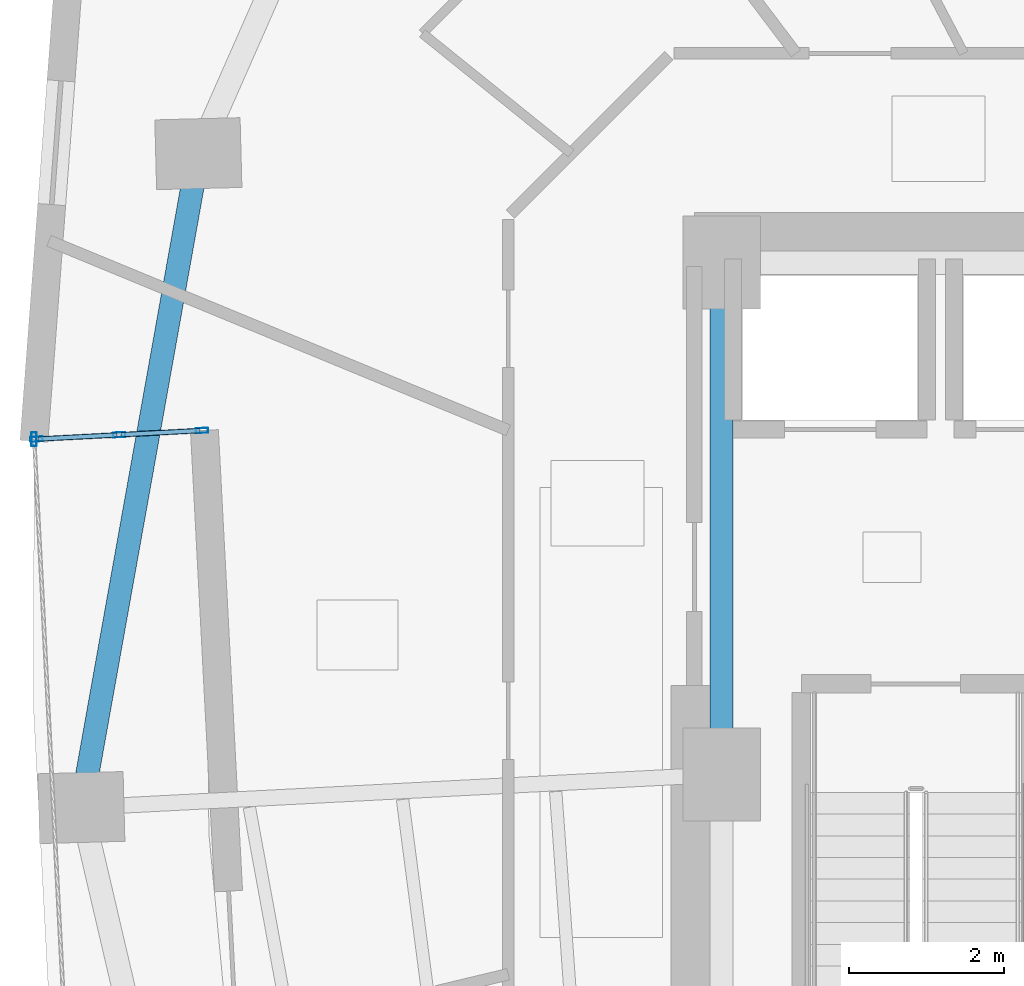
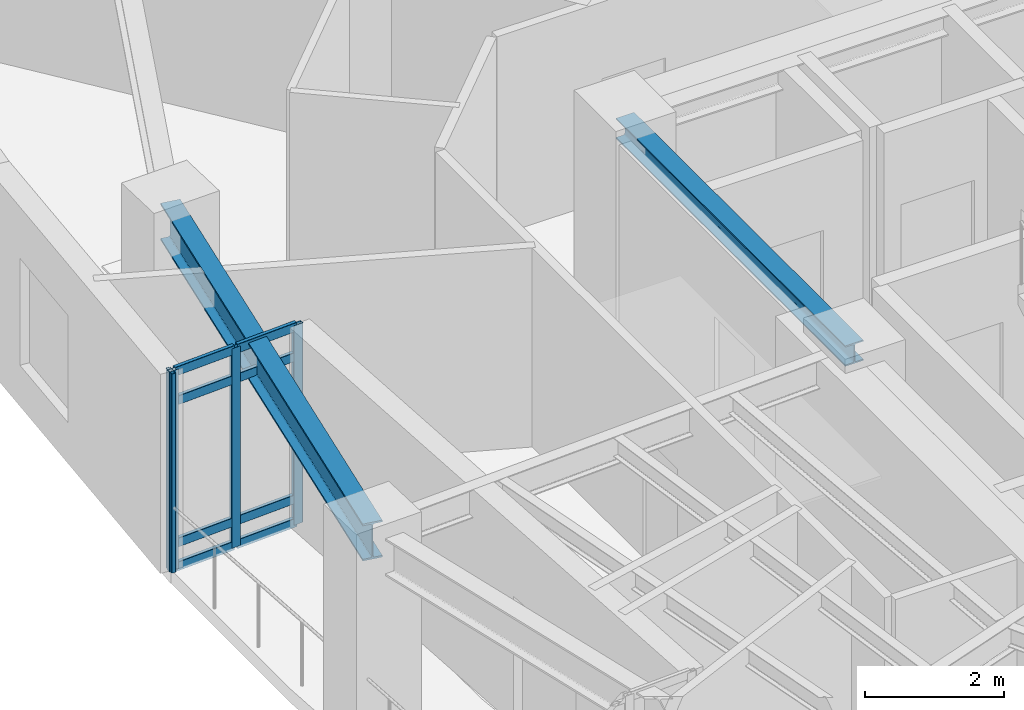
# One storey, part 3 of 12: 12 members, 2 beams, 1 element without a shape of its own.
"""IFC4 building model written with IfcOpenShell, lengths in metres."""

from ifc_helpers import new_model, si_unit, direction, frame, origin, origin_2d, place, context, subcontext, project, spatial, hollow_rectangle, i_section, extrude, material, layer, layer_set, material_profile, profile_set, type_object, element, aggregate, save


model = new_model("IFC4")

# Units and contexts
model_context = context("Model", 3, precision=1e-05, world=origin(), true_north=direction((0.0, 1.0)))
body_context = subcontext(model_context, "Body", "Model", "MODEL_VIEW")
ifc_project = project(units=[si_unit("LENGTHUNIT", "METRE"), si_unit("AREAUNIT", "SQUARE_METRE"), si_unit("VOLUMEUNIT", "CUBIC_METRE"), si_unit("PLANEANGLEUNIT", "RADIAN"), si_unit("MASSUNIT", "GRAM", prefix="KILO")], contexts=[model_context])

# Site, building, storey
site_placement = place(None, origin())
site = spatial("IfcSite", under=ifc_project, at=site_placement, CompositionType="ELEMENT")
building_placement = place(site_placement, origin())
building = spatial("IfcBuilding", under=site, at=building_placement, Name="Ndelora Gate Hotel", CompositionType="ELEMENT")
storey_placement = place(building_placement, frame((0.0, 0.0, 138.5)))
storey = spatial("IfcBuildingStorey", under=building, at=storey_placement, Name="L34", CompositionType="ELEMENT", Elevation=138.5)

# Beams
ifc_material_1 = material(Name="Steel S355", Category="steel")
ifc_material_profile_1 = material_profile(ifc_material_1, i_section(OverallWidth=0.300048828125, OverallDepth=0.360107421875, WebThickness=0.012451171875, FlangeThickness=0.0224609375, FilletRadius=0.027099609375, at=origin_2d()), Name="HEB 360")
ifc_profile_set_1 = profile_set([ifc_material_profile_1], Name="Steel S355")
beam_type_1 = type_object("IfcBeamType", Name="BM-CORE-360", PredefinedType="BEAM", material=ifc_profile_set_1)
beam_1_placement = place(storey_placement, frame((-8.0, 0.0, 3.320068359375), z_axis=(0.0, 1.0, 0.0), x_axis=(-1.0, 0.0, 0.0)))
element("IfcBeam", 1, at=beam_1_placement, inside=storey, type_object=beam_type_1, Name="L34 Core Tie Girder CC8-CC7", PredefinedType="BEAM", context=body_context, shape_type="SweptSolid", body=[
    extrude(i_section(OverallWidth=0.300048828125, OverallDepth=0.360107421875, WebThickness=0.012451171875, FlangeThickness=0.0224609375, FilletRadius=0.027099609375, at=origin_2d()), origin(), (0.0, 0.0, 1.0), 6.60009765625),
])
ifc_material_profile_2 = material_profile(ifc_material_1, i_section(OverallWidth=0.300048828125, OverallDepth=0.64990234375, WebThickness=0.01611328125, FlangeThickness=0.031005859375, FilletRadius=0.027099609375, at=origin_2d()), Name="HEB 650")
ifc_profile_set_2 = profile_set([ifc_material_profile_2], Name="Steel S355")
beam_type_2 = type_object("IfcBeamType", Name="BM-RING-650", PredefinedType="SPANDREL", material=ifc_profile_set_2)
beam_2_placement = place(storey_placement, frame((-14.74658203125, 8.006591796875, 3.175048828125), z_axis=(-0.176130938817, -0.984366746894, 0.0), x_axis=(0.984366746894, -0.176130938817, 0.0)))
element("IfcBeam", 2, at=beam_2_placement, inside=storey, type_object=beam_type_2, Name="L34 Perimeter Spandrel Girder 2", PredefinedType="SPANDREL", context=body_context, shape_type="SweptSolid", body=[
    extrude(i_section(OverallWidth=0.300048828125, OverallDepth=0.64990234375, WebThickness=0.01611328125, FlangeThickness=0.031005859375, FilletRadius=0.027099609375, at=origin_2d()), origin(), (0.0, 0.0, 1.0), 8.56640625),
])

# Curtain wall, members
ifc_material_2 = material(Name="Bronze Anodised Unitised Aluminium and Low-E Glass", Category="aluminium")
ifc_layer = layer(ifc_material_2, 0.199951171875)
ifc_layer_set = layer_set([ifc_layer], Name="Bronze Anodised Unitised Aluminium and Low-E Glass")
curtain_wall_type = type_object("IfcCurtainWallType", Name="CW-SYS-3", PredefinedType="NOTDEFINED", material=ifc_layer_set)
curtain_wall_placement = place(storey_placement, origin())
curtain_wall = element("IfcCurtainWall", 3, at=curtain_wall_placement, inside=storey, type_object=curtain_wall_type, Name="L34 Sky-Garden Loggia Side Curtain Wall CW3-1", PredefinedType="NOTDEFINED")
ifc_material_3 = material(Name="Bronze Anodised Aluminium 6063-T6", Category="aluminium")
ifc_material_profile_3 = material_profile(ifc_material_3, hollow_rectangle(XDim=0.06494140625, YDim=0.159912109375, WallThickness=0.00390625, InnerFilletRadius=0.00390625, OuterFilletRadius=0.008056640625, at=origin_2d()), Name="ALU 160x65x4")
ifc_profile_set_3 = profile_set([ifc_material_profile_3], Name="Bronze Anodised Aluminium 6063-T6")
member_type_1 = type_object("IfcMemberType", Name="MB-CW-MUL150", PredefinedType="MULLION", material=ifc_profile_set_3)
member_1_placement = place(storey_placement, frame((-14.700439453125, 4.436767578125, -0.00390625), z_axis=(0.0, 0.0, 1.0), x_axis=(0.052317873695, -0.998630482257, 0.0)))
member_1 = element("IfcMember", 4, at=member_1_placement, type_object=member_type_1, Name="CW3 mullion 1", PredefinedType="MULLION", context=body_context, shape_type="SweptSolid", body=[
    extrude(hollow_rectangle(XDim=0.06494140625, YDim=0.159912109375, WallThickness=0.00390625, InnerFilletRadius=0.00390625, OuterFilletRadius=0.008056640625, at=origin_2d()), origin(), (0.0, 0.0, 1.0), 3.5078125),
])
member_2_placement = place(storey_placement, frame((-15.7666015625, 4.380859375, -0.00390625), z_axis=(0.0, 0.0, 1.0), x_axis=(0.052317873695, -0.998630482257, 0.0)))
member_2 = element("IfcMember", 5, at=member_2_placement, type_object=member_type_1, Name="CW3 mullion 2", PredefinedType="MULLION", context=body_context, shape_type="SweptSolid", body=[
    extrude(hollow_rectangle(XDim=0.06494140625, YDim=0.159912109375, WallThickness=0.00390625, InnerFilletRadius=0.00390625, OuterFilletRadius=0.008056640625, at=origin_2d()), origin(), (0.0, 0.0, 1.0), 3.5078125),
])
member_3_placement = place(storey_placement, frame((-16.83251953125, 4.324951171875, -0.00390625), z_axis=(0.0, 0.0, 1.0), x_axis=(0.052317873695, -0.998630482257, 0.0)))
member_3 = element("IfcMember", 6, at=member_3_placement, type_object=member_type_1, Name="CW3 mullion 3", PredefinedType="MULLION", context=body_context, shape_type="SweptSolid", body=[
    extrude(hollow_rectangle(XDim=0.06494140625, YDim=0.159912109375, WallThickness=0.00390625, InnerFilletRadius=0.00390625, OuterFilletRadius=0.008056640625, at=origin_2d()), origin(), (0.0, 0.0, 1.0), 3.5078125),
])
ifc_material_profile_4 = material_profile(ifc_material_3, hollow_rectangle(XDim=0.070068359375, YDim=0.179931640625, WallThickness=0.0048828125, InnerFilletRadius=0.0048828125, OuterFilletRadius=0.010009765625, at=origin_2d()), Name="ALU 180x70x5")
ifc_profile_set_4 = profile_set([ifc_material_profile_4], Name="Bronze Anodised Aluminium 6063-T6")
member_type_2 = type_object("IfcMemberType", Name="MB-CW-MUL180", PredefinedType="MULLION", material=ifc_profile_set_4)
member_4_placement = place(storey_placement, frame((-16.864990234375, 4.3232421875, 0.0), z_axis=(0.0, 0.0, 1.0), x_axis=(1.0, 0.0, 0.0)))
member_4 = element("IfcMember", 7, at=member_4_placement, type_object=member_type_2, Name="L34 Sky-Garden Loggia Corner Mullion Post 1", PredefinedType="MULLION", context=body_context, shape_type="SweptSolid", body=[
    extrude(hollow_rectangle(XDim=0.070068359375, YDim=0.179931640625, WallThickness=0.0048828125, InnerFilletRadius=0.0048828125, OuterFilletRadius=0.010009765625, at=origin_2d()), origin(), (0.0, 0.0, 1.0), 3.5),
])
ifc_material_profile_5 = material_profile(ifc_material_3, hollow_rectangle(XDim=0.06494140625, YDim=0.159912109375, WallThickness=0.00390625, InnerFilletRadius=0.00390625, OuterFilletRadius=0.008056640625, at=origin_2d()), Name="ALU 160x65x4")
ifc_profile_set_5 = profile_set([ifc_material_profile_5], Name="Bronze Anodised Aluminium 6063-T6")
member_type_3 = type_object("IfcMemberType", Name="MB-CW-TRN150", PredefinedType="USERDEFINED", material=ifc_profile_set_5)
member_5_placement = place(storey_placement, frame((-14.726806640625, 4.435302734375, 0.032470703125), z_axis=(-0.998635719031, -0.052217819525, 0.0), x_axis=(0.052217819525, -0.998635719031, 0.0)))
member_5 = element("IfcMember", 8, at=member_5_placement, type_object=member_type_3, Name="CW3 transom 1.1", ObjectType="TRANSOM", PredefinedType="USERDEFINED", context=body_context, shape_type="SweptSolid", body=[
    extrude(hollow_rectangle(XDim=0.06494140625, YDim=0.159912109375, WallThickness=0.00390625, InnerFilletRadius=0.00390625, OuterFilletRadius=0.008056640625, at=origin_2d()), origin(), (0.0, 0.0, 1.0), 1.0146484375),
])
member_6_placement = place(storey_placement, frame((-14.726806640625, 4.435302734375, 0.449951171875), z_axis=(-0.998635719031, -0.052217819525, 0.0), x_axis=(0.052217819525, -0.998635719031, 0.0)))
member_6 = element("IfcMember", 9, at=member_6_placement, type_object=member_type_3, Name="CW3 transom 1.2", ObjectType="TRANSOM", PredefinedType="USERDEFINED", context=body_context, shape_type="SweptSolid", body=[
    extrude(hollow_rectangle(XDim=0.06494140625, YDim=0.159912109375, WallThickness=0.00390625, InnerFilletRadius=0.00390625, OuterFilletRadius=0.008056640625, at=origin_2d()), origin(), (0.0, 0.0, 1.0), 1.0146484375),
])
member_7_placement = place(storey_placement, frame((-14.726806640625, 4.435302734375, 2.949951171875), z_axis=(-0.998635719031, -0.052217819525, 0.0), x_axis=(0.052217819525, -0.998635719031, 0.0)))
member_7 = element("IfcMember", 10, at=member_7_placement, type_object=member_type_3, Name="CW3 transom 1.3", ObjectType="TRANSOM", PredefinedType="USERDEFINED", context=body_context, shape_type="SweptSolid", body=[
    extrude(hollow_rectangle(XDim=0.06494140625, YDim=0.159912109375, WallThickness=0.00390625, InnerFilletRadius=0.00390625, OuterFilletRadius=0.008056640625, at=origin_2d()), origin(), (0.0, 0.0, 1.0), 1.0146484375),
])
member_8_placement = place(storey_placement, frame((-14.726806640625, 4.435302734375, 3.467529296875), z_axis=(-0.998635719031, -0.052217819525, 0.0), x_axis=(0.052217819525, -0.998635719031, 0.0)))
member_8 = element("IfcMember", 11, at=member_8_placement, type_object=member_type_3, Name="CW3 transom 1.4", ObjectType="TRANSOM", PredefinedType="USERDEFINED", context=body_context, shape_type="SweptSolid", body=[
    extrude(hollow_rectangle(XDim=0.06494140625, YDim=0.159912109375, WallThickness=0.00390625, InnerFilletRadius=0.00390625, OuterFilletRadius=0.008056640625, at=origin_2d()), origin(), (0.0, 0.0, 1.0), 1.0146484375),
])
member_9_placement = place(storey_placement, frame((-15.79296875, 4.37939453125, 0.032470703125), z_axis=(-0.998635719031, -0.052217819525, 0.0), x_axis=(0.052217819525, -0.998635719031, 0.0)))
member_9 = element("IfcMember", 12, at=member_9_placement, type_object=member_type_3, Name="CW3 transom 2.1", ObjectType="TRANSOM", PredefinedType="USERDEFINED", context=body_context, shape_type="SweptSolid", body=[
    extrude(hollow_rectangle(XDim=0.06494140625, YDim=0.159912109375, WallThickness=0.00390625, InnerFilletRadius=0.00390625, OuterFilletRadius=0.008056640625, at=origin_2d()), origin(), (0.0, 0.0, 1.0), 1.0146484375),
])
member_10_placement = place(storey_placement, frame((-15.79296875, 4.37939453125, 0.449951171875), z_axis=(-0.998635719031, -0.052217819525, 0.0), x_axis=(0.052217819525, -0.998635719031, 0.0)))
member_10 = element("IfcMember", 13, at=member_10_placement, type_object=member_type_3, Name="CW3 transom 2.2", ObjectType="TRANSOM", PredefinedType="USERDEFINED", context=body_context, shape_type="SweptSolid", body=[
    extrude(hollow_rectangle(XDim=0.06494140625, YDim=0.159912109375, WallThickness=0.00390625, InnerFilletRadius=0.00390625, OuterFilletRadius=0.008056640625, at=origin_2d()), origin(), (0.0, 0.0, 1.0), 1.0146484375),
])
member_11_placement = place(storey_placement, frame((-15.79296875, 4.37939453125, 2.949951171875), z_axis=(-0.998635719031, -0.052217819525, 0.0), x_axis=(0.052217819525, -0.998635719031, 0.0)))
member_11 = element("IfcMember", 14, at=member_11_placement, type_object=member_type_3, Name="CW3 transom 2.3", ObjectType="TRANSOM", PredefinedType="USERDEFINED", context=body_context, shape_type="SweptSolid", body=[
    extrude(hollow_rectangle(XDim=0.06494140625, YDim=0.159912109375, WallThickness=0.00390625, InnerFilletRadius=0.00390625, OuterFilletRadius=0.008056640625, at=origin_2d()), origin(), (0.0, 0.0, 1.0), 1.0146484375),
])
member_12_placement = place(storey_placement, frame((-15.79296875, 4.37939453125, 3.467529296875), z_axis=(-0.998635719031, -0.052217819525, 0.0), x_axis=(0.052217819525, -0.998635719031, 0.0)))
member_12 = element("IfcMember", 15, at=member_12_placement, type_object=member_type_3, Name="CW3 transom 2.4", ObjectType="TRANSOM", PredefinedType="USERDEFINED", context=body_context, shape_type="SweptSolid", body=[
    extrude(hollow_rectangle(XDim=0.06494140625, YDim=0.159912109375, WallThickness=0.00390625, InnerFilletRadius=0.00390625, OuterFilletRadius=0.008056640625, at=origin_2d()), origin(), (0.0, 0.0, 1.0), 1.0146484375),
])
aggregate(curtain_wall, [member_1, member_2, member_3, member_5, member_6, member_7, member_8, member_9, member_10, member_11, member_12, member_4])

save(model, "model.ifc")
